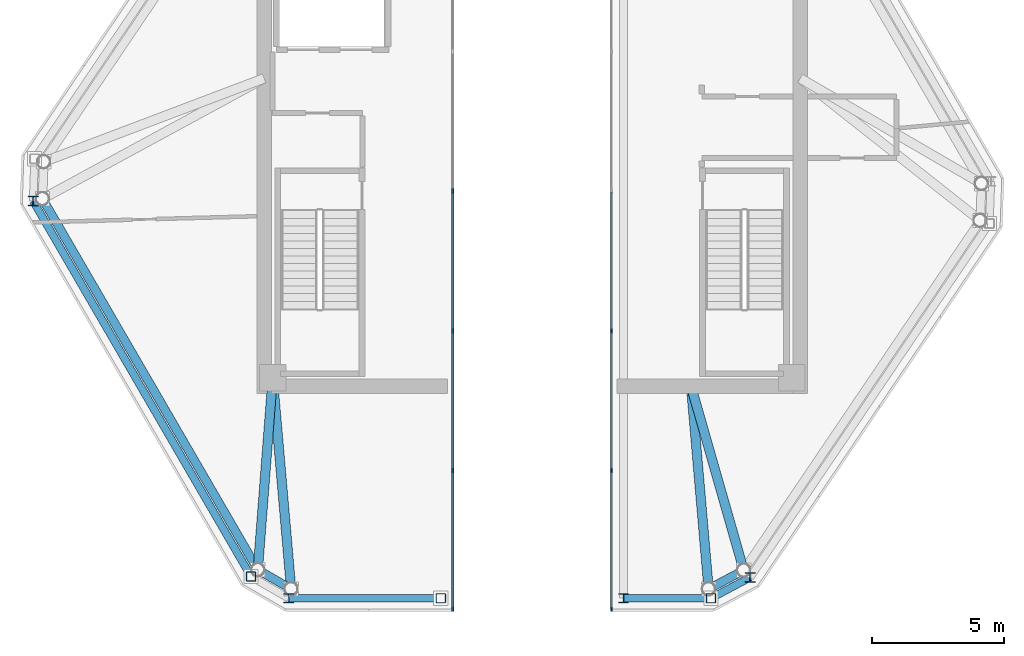
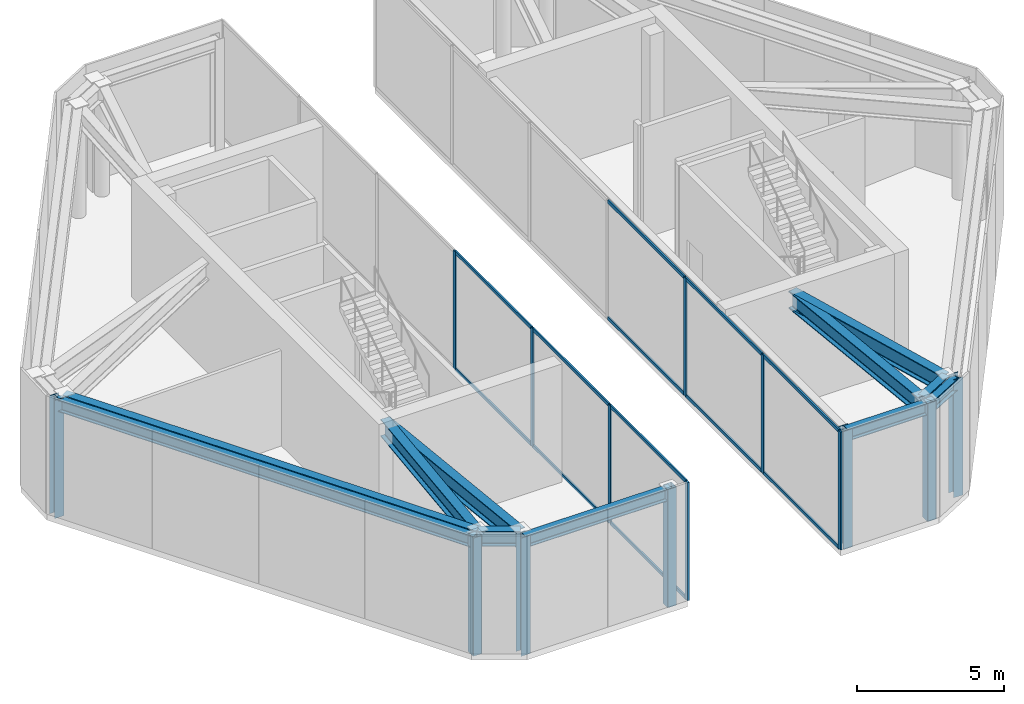
# One storey, part 2 of 8: 26 members, 11 beams, 2 elements without a shape of their own.
"""IFC4 building model written with IfcOpenShell, lengths in metres."""

from ifc_helpers import new_model, si_unit, direction, frame, origin, origin_2d, place, context, subcontext, project, spatial, rectangle, hollow_rectangle, i_section, extrude, source, transform, mapped, material, layer, layer_set, material_profile, profile_set, type_object, type_shapes, element, aggregate, save


model = new_model("IFC4")

# Units and contexts
model_context = context("Model", 3, precision=1e-05, world=origin(), true_north=direction((0.0, 1.0)))
body_context = subcontext(model_context, "Body", "Model", "MODEL_VIEW")
ifc_project = project(units=[si_unit("LENGTHUNIT", "METRE"), si_unit("AREAUNIT", "SQUARE_METRE"), si_unit("VOLUMEUNIT", "CUBIC_METRE"), si_unit("PLANEANGLEUNIT", "RADIAN"), si_unit("MASSUNIT", "GRAM", prefix="KILO")], contexts=[model_context])

# Site, building, storey
site_placement = place(None, origin())
site = spatial("IfcSite", under=ifc_project, at=site_placement, CompositionType="ELEMENT")
building_placement = place(site_placement, origin())
building = spatial("IfcBuilding", under=site, at=building_placement, Name="Durnholm Broadcast Tower", CompositionType="ELEMENT")
storey_placement = place(building_placement, frame((0.0, 0.0, 282.10009765625)))
storey = spatial("IfcBuildingStorey", under=building, at=storey_placement, Name="L78", CompositionType="ELEMENT", Elevation=282.10009765625)

# Beams
ifc_material_1 = material(Name="Steel ASTM A992 Grade 50", Category="steel")
ifc_material_profile_1 = material_profile(ifc_material_1, i_section(OverallWidth=0.3251953125, OverallDepth=0.6162109375, WebThickness=0.013916015625, FlangeThickness=0.021484375, FilletRadius=0.02783203125, at=origin_2d()), Name="W24X117")
ifc_profile_set_1 = profile_set([ifc_material_profile_1], Name="Steel ASTM A992 Grade 50")
beam_type_1 = type_object("IfcBeamType", Name="STL-SP-W24X117", PredefinedType="SPANDREL", material=ifc_profile_set_1)
shared_shape_1 = source(origin(), body_context, "Body", "SweptSolid", [
    extrude(i_section(OverallWidth=0.3251953125, OverallDepth=0.6162109375, WebThickness=0.013916015625, FlangeThickness=0.021484375, FilletRadius=0.02783203125, at=origin_2d()), origin(), (0.0, 0.0, 1.0), 16.202880859375),
])
beam_1_placement = place(storey_placement, frame((-10.361328125, -15.061767578125, 4.296875), z_axis=(-0.501948303381, 0.864897624423, 0.0), x_axis=(-0.864897624423, -0.501948303381, 0.0)))
element("IfcBeam", 1, at=beam_1_placement, inside=storey, type_object=beam_type_1, Name="L78 perimeter spandrel girder 01", PredefinedType="SPANDREL", context=body_context, shape_type="MappedRepresentation", body=[
    mapped(shared_shape_1, transform((0.0, 0.0, 0.0), x_axis=(1.0, 0.0, 0.0), y_axis=(0.0, 1.0, 0.0), z_axis=(0.0, 0.0, 1.0), scale=1.0)),
])
shared_shape_2 = source(origin(), body_context, "Body", "SweptSolid", [
    extrude(i_section(OverallWidth=0.3251953125, OverallDepth=0.6162109375, WebThickness=0.013916015625, FlangeThickness=0.021484375, FilletRadius=0.02783203125, at=origin_2d()), origin(), (0.0, 0.0, 1.0), 1.502685546875),
])
beam_2_placement = place(storey_placement, frame((7.990966796875, -15.081298828125, 4.296875), z_axis=(-0.883241909673, -0.468917614296, 0.0), x_axis=(0.468917614296, -0.883241909673, 0.0)))
element("IfcBeam", 2, at=beam_2_placement, inside=storey, type_object=beam_type_1, Name="L78 perimeter spandrel girder 10", PredefinedType="SPANDREL", context=body_context, shape_type="MappedRepresentation", body=[
    mapped(shared_shape_2, transform((0.0, 0.0, 0.0), x_axis=(1.0, 0.0, 0.0), y_axis=(0.0, 1.0, 0.0), z_axis=(0.0, 0.0, 1.0), scale=1.0)),
])
shared_shape_3 = source(origin(), body_context, "Body", "SweptSolid", [
    extrude(i_section(OverallWidth=0.3251953125, OverallDepth=0.6162109375, WebThickness=0.013916015625, FlangeThickness=0.021484375, FilletRadius=0.02783203125, at=origin_2d()), origin(), (0.0, 0.0, 1.0), 1.451171875),
])
type_shapes(beam_type_1, [shared_shape_1, shared_shape_2, shared_shape_3])
beam_3_placement = place(storey_placement, frame((-9.103759765625, -15.785888671875, 4.296875), z_axis=(-0.866602615509, 0.498998904601, 0.0), x_axis=(-0.498998904601, -0.866602615509, 0.0)))
element("IfcBeam", 3, at=beam_3_placement, inside=storey, type_object=beam_type_1, Name="L78 perimeter spandrel girder 12", PredefinedType="SPANDREL", context=body_context, shape_type="MappedRepresentation", body=[
    mapped(shared_shape_3, transform((0.0, 0.0, 0.0), x_axis=(1.0, 0.0, 0.0), y_axis=(0.0, 1.0, 0.0), z_axis=(0.0, 0.0, 1.0), scale=1.0)),
])
ifc_material_profile_2 = material_profile(ifc_material_1, i_section(OverallWidth=0.3564453125, OverallDepth=0.713623046875, WebThickness=0.01904296875, FlangeThickness=0.033935546875, FilletRadius=0.030517578125, at=origin_2d()), Name="W27X194")
ifc_profile_set_2 = profile_set([ifc_material_profile_2], Name="Steel ASTM A992 Grade 50")
beam_type_2 = type_object("IfcBeamType", Name="STL-GR-W27X194", PredefinedType="USERDEFINED", material=ifc_profile_set_2)
shared_shape_4 = source(origin(), body_context, "Body", "SweptSolid", [
    extrude(i_section(OverallWidth=0.3564453125, OverallDepth=0.713623046875, WebThickness=0.01904296875, FlangeThickness=0.033935546875, FilletRadius=0.030517578125, at=origin_2d()), origin(), (0.0, 0.0, 1.0), 7.283447265625),
])
beam_4_placement = place(storey_placement, frame((-9.800048828125, -7.800048828125, 4.248046875), z_axis=(-0.07706304746, -0.997026221679, 0.0), x_axis=(0.997026221679, -0.07706304746, 0.0)))
element("IfcBeam", 4, at=beam_4_placement, inside=storey, type_object=beam_type_2, Name="L78 radial primary floor girder 01", ObjectType="GIRDER", PredefinedType="USERDEFINED", context=body_context, shape_type="MappedRepresentation", body=[
    mapped(shared_shape_4, transform((0.0, 0.0, 0.0), x_axis=(1.0, 0.0, 0.0), y_axis=(0.0, 1.0, 0.0), z_axis=(0.0, 0.0, 1.0), scale=1.0)),
])
shared_shape_5 = source(origin(), body_context, "Body", "SweptSolid", [
    extrude(i_section(OverallWidth=0.3564453125, OverallDepth=0.713623046875, WebThickness=0.01904296875, FlangeThickness=0.033935546875, FilletRadius=0.030517578125, at=origin_2d()), origin(), (0.0, 0.0, 1.0), 7.235595703125),
])
beam_5_placement = place(storey_placement, frame((6.0, -8.125, 4.248046875), z_axis=(0.275162285573, -0.961397793111, 0.0), x_axis=(0.961397793111, 0.275162285573, 0.0)))
element("IfcBeam", 5, at=beam_5_placement, inside=storey, type_object=beam_type_2, Name="L78 radial primary floor girder 10", ObjectType="GIRDER", PredefinedType="USERDEFINED", context=body_context, shape_type="MappedRepresentation", body=[
    mapped(shared_shape_5, transform((0.0, 0.0, 0.0), x_axis=(1.0, 0.0, 0.0), y_axis=(0.0, 1.0, 0.0), z_axis=(0.0, 0.0, 1.0), scale=1.0)),
])
shared_shape_6 = source(origin(), body_context, "Body", "SweptSolid", [
    extrude(i_section(OverallWidth=0.3564453125, OverallDepth=0.713623046875, WebThickness=0.01904296875, FlangeThickness=0.033935546875, FilletRadius=0.030517578125, at=origin_2d()), origin(), (0.0, 0.0, 1.0), 7.689697265625),
])
beam_6_placement = place(storey_placement, frame((6.0, -8.125, 4.248046875), z_axis=(0.086326830756, -0.99626687102, 0.0), x_axis=(0.99626687102, 0.086326830756, 0.0)))
element("IfcBeam", 6, at=beam_6_placement, inside=storey, type_object=beam_type_2, Name="L78 radial primary floor girder 11", ObjectType="GIRDER", PredefinedType="USERDEFINED", context=body_context, shape_type="MappedRepresentation", body=[
    mapped(shared_shape_6, transform((0.0, 0.0, 0.0), x_axis=(1.0, 0.0, 0.0), y_axis=(0.0, 1.0, 0.0), z_axis=(0.0, 0.0, 1.0), scale=1.0)),
])
shared_shape_7 = source(origin(), body_context, "Body", "SweptSolid", [
    extrude(i_section(OverallWidth=0.3564453125, OverallDepth=0.713623046875, WebThickness=0.01904296875, FlangeThickness=0.033935546875, FilletRadius=0.030517578125, at=origin_2d()), origin(), (0.0, 0.0, 1.0), 8.01611328125),
])
type_shapes(beam_type_2, [shared_shape_4, shared_shape_5, shared_shape_6, shared_shape_7])
beam_7_placement = place(storey_placement, frame((-9.800048828125, -7.800048828125, 4.248046875), z_axis=(0.086860920724, -0.996220447718, 0.0), x_axis=(0.996220447718, 0.086860920724, 0.0)))
element("IfcBeam", 7, at=beam_7_placement, inside=storey, type_object=beam_type_2, Name="L78 radial primary floor girder 12", ObjectType="GIRDER", PredefinedType="USERDEFINED", context=body_context, shape_type="MappedRepresentation", body=[
    mapped(shared_shape_7, transform((0.0, 0.0, 0.0), x_axis=(1.0, 0.0, 0.0), y_axis=(0.0, 1.0, 0.0), z_axis=(0.0, 0.0, 1.0), scale=1.0)),
])
ifc_material_profile_3 = material_profile(ifc_material_1, i_section(OverallWidth=0.2861328125, OverallDepth=0.481689453125, WebThickness=0.0166015625, FlangeThickness=0.02685546875, FilletRadius=0.02294921875, at=origin_2d()), Name="W18X119")
ifc_profile_set_3 = profile_set([ifc_material_profile_3], Name="Steel ASTM A992 Grade 50")
beam_type_3 = type_object("IfcBeamType", Name="STL-BM-W18X119", PredefinedType="BEAM", material=ifc_profile_set_3)
shared_shape_8 = source(origin(), body_context, "Body", "SweptSolid", [
    extrude(i_section(OverallWidth=0.2861328125, OverallDepth=0.481689453125, WebThickness=0.0166015625, FlangeThickness=0.02685546875, FilletRadius=0.02294921875, at=origin_2d()), origin(), (0.0, 0.0, 1.0), 5.747314453125),
])
beam_8_placement = place(storey_placement, frame((-9.197265625, -16.135986328125, 4.364013671875), z_axis=(1.0, 0.0, 0.0), x_axis=(0.0, 1.0, 0.0)))
element("IfcBeam", 8, at=beam_8_placement, inside=storey, type_object=beam_type_3, Name="L78 W split-crown frame ring beam 2", PredefinedType="SPANDREL", context=body_context, shape_type="MappedRepresentation", body=[
    mapped(shared_shape_8, transform((0.0, 0.0, 0.0), x_axis=(1.0, 0.0, 0.0), y_axis=(0.0, 1.0, 0.0), z_axis=(0.0, 0.0, 1.0), scale=1.0)),
])
shared_shape_9 = source(origin(), body_context, "Body", "SweptSolid", [
    extrude(i_section(OverallWidth=0.2861328125, OverallDepth=0.481689453125, WebThickness=0.0166015625, FlangeThickness=0.02685546875, FilletRadius=0.02294921875, at=origin_2d()), origin(), (0.0, 0.0, 1.0), 16.39697265625),
])
beam_9_placement = place(storey_placement, frame((-18.847412109375, -1.136474609375, 4.364013671875), z_axis=(0.501933993848, -0.864905928885, 0.0), x_axis=(0.864905928885, 0.501933993848, 0.0)))
element("IfcBeam", 9, at=beam_9_placement, inside=storey, type_object=beam_type_3, Name="L78 W split-crown frame ring beam 8", PredefinedType="SPANDREL", context=body_context, shape_type="MappedRepresentation", body=[
    mapped(shared_shape_9, transform((0.0, 0.0, 0.0), x_axis=(1.0, 0.0, 0.0), y_axis=(0.0, 1.0, 0.0), z_axis=(0.0, 0.0, 1.0), scale=1.0)),
])
shared_shape_10 = source(origin(), body_context, "Body", "SweptSolid", [
    extrude(i_section(OverallWidth=0.2861328125, OverallDepth=0.481689453125, WebThickness=0.0166015625, FlangeThickness=0.02685546875, FilletRadius=0.02294921875, at=origin_2d()), origin(), (0.0, 0.0, 1.0), 3.301025390625),
])
beam_10_placement = place(storey_placement, frame((3.449951171875, -16.135986328125, 4.364013671875), z_axis=(1.0, 0.0, 0.0), x_axis=(0.0, 1.0, 0.0)))
element("IfcBeam", 10, at=beam_10_placement, inside=storey, type_object=beam_type_3, Name="L78 E split-crown frame ring beam 2", PredefinedType="SPANDREL", context=body_context, shape_type="MappedRepresentation", body=[
    mapped(shared_shape_10, transform((0.0, 0.0, 0.0), x_axis=(1.0, 0.0, 0.0), y_axis=(0.0, 1.0, 0.0), z_axis=(0.0, 0.0, 1.0), scale=1.0)),
])
shared_shape_11 = source(origin(), body_context, "Body", "SweptSolid", [
    extrude(i_section(OverallWidth=0.2861328125, OverallDepth=0.481689453125, WebThickness=0.0166015625, FlangeThickness=0.02685546875, FilletRadius=0.02294921875, at=origin_2d()), origin(), (0.0, 0.0, 1.0), 1.6767578125),
])
type_shapes(beam_type_3, [shared_shape_8, shared_shape_9, shared_shape_10, shared_shape_11])
beam_11_placement = place(storey_placement, frame((6.7509765625, -16.135986328125, 4.364013671875), z_axis=(0.883209959098, 0.468977790678, 0.0), x_axis=(-0.468977790678, 0.883209959098, 0.0)))
element("IfcBeam", 11, at=beam_11_placement, inside=storey, type_object=beam_type_3, Name="L78 E split-crown frame ring beam 3", PredefinedType="SPANDREL", context=body_context, shape_type="MappedRepresentation", body=[
    mapped(shared_shape_11, transform((0.0, 0.0, 0.0), x_axis=(1.0, 0.0, 0.0), y_axis=(0.0, 1.0, 0.0), z_axis=(0.0, 0.0, 1.0), scale=1.0)),
])

# Members
ifc_material_2 = material(Name="Steel ASTM A500 Grade C", Category="steel")
ifc_material_profile_4 = material_profile(ifc_material_2, hollow_rectangle(XDim=0.355712890625, YDim=0.355712890625, WallThickness=0.01171875, InnerFilletRadius=0.017578125, OuterFilletRadius=0.029541015625, at=origin_2d()), Name="HSS14X14X1/2")
ifc_profile_set_4 = profile_set([ifc_material_profile_4], Name="Steel ASTM A500 Grade C")
member_type_1 = type_object("IfcMemberType", Name="STL-CF-HSS14X14", PredefinedType="USERDEFINED", material=ifc_profile_set_4)
shared_shape_12 = source(origin(), body_context, "Body", "SweptSolid", [
    extrude(hollow_rectangle(XDim=0.355712890625, YDim=0.355712890625, WallThickness=0.01171875, InnerFilletRadius=0.017578125, OuterFilletRadius=0.029541015625, at=origin_2d()), origin(), (0.0, 0.0, 1.0), 4.89990234375),
])
type_shapes(member_type_1, [shared_shape_12])
for number, where, z_axis, x_axis, name in (
    (12, (-10.6171875, -15.318359375, -0.280029296875), (0.0, 0.0, 1.0), (1.0, 0.0, 0.0), "L78 W split-crown frame post 1"),
    (13, (-3.449951171875, -16.135986328125, -0.280029296875), (0.0, 0.0, 1.0), (1.0, 0.0, 0.0), "L78 W split-crown frame post 3"),
    (14, (6.7509765625, -16.135986328125, -0.280029296875), (0.0, 0.0, 1.0), (1.0, 0.0, 0.0), "L78 E split-crown frame post 3"),
):
    element("IfcMember", number, at=place(storey_placement, frame(where, z_axis=z_axis, x_axis=x_axis)), inside=storey, type_object=member_type_1, Name=name, ObjectType="CROWN FRAME", PredefinedType="USERDEFINED", context=body_context, shape_type="MappedRepresentation", body=[
        mapped(shared_shape_12, transform((0.0, 0.0, 0.0), x_axis=(1.0, 0.0, 0.0), y_axis=(0.0, 1.0, 0.0), z_axis=(0.0, 0.0, 1.0), scale=1.0)),
    ])
ifc_material_profile_5 = material_profile(ifc_material_1, i_section(OverallWidth=0.368896484375, OverallDepth=0.356201171875, WebThickness=0.01123046875, FlangeThickness=0.01806640625, FilletRadius=0.030517578125, at=origin_2d()), Name="W14X90")
ifc_profile_set_5 = profile_set([ifc_material_profile_5], Name="Steel ASTM A992 Grade 50")
member_type_2 = type_object("IfcMemberType", Name="STL-CF-W14X90", PredefinedType="USERDEFINED", material=ifc_profile_set_5)
shared_shape_13 = source(origin(), body_context, "Body", "SweptSolid", [
    extrude(i_section(OverallWidth=0.368896484375, OverallDepth=0.356201171875, WebThickness=0.01123046875, FlangeThickness=0.01806640625, FilletRadius=0.030517578125, at=origin_2d()), origin(), (0.0, 0.0, 1.0), 4.89990234375),
])
type_shapes(member_type_2, [shared_shape_13])
for number, where, z_axis, x_axis, name in (
    (15, (-9.197265625, -16.135986328125, -0.280029296875), (0.0, 0.0, 1.0), (1.0, 0.0, 0.0), "L78 W split-crown frame post 2"),
    (16, (-18.847412109375, -1.136474609375, -0.280029296875), (0.0, 0.0, 1.0), (1.0, 0.0, 0.0), "L78 W split-crown frame post 8"),
    (17, (3.449951171875, -16.135986328125, -0.280029296875), (0.0, 0.0, 1.0), (1.0, 0.0, 0.0), "L78 E split-crown frame post 2"),
    (18, (8.23193359375, -15.349609375, -0.280029296875), (0.0, 0.0, 1.0), (1.0, 0.0, 0.0), "L78 E split-crown frame post 4"),
):
    element("IfcMember", number, at=place(storey_placement, frame(where, z_axis=z_axis, x_axis=x_axis)), inside=storey, type_object=member_type_2, Name=name, ObjectType="CROWN FRAME", PredefinedType="USERDEFINED", context=body_context, shape_type="MappedRepresentation", body=[
        mapped(shared_shape_13, transform((0.0, 0.0, 0.0), x_axis=(1.0, 0.0, 0.0), y_axis=(0.0, 1.0, 0.0), z_axis=(0.0, 0.0, 1.0), scale=1.0)),
    ])

# Curtain wall, members
ifc_material_3 = material(Name="Aluminium and Solar Control IGU", Category="aluminium")
ifc_layer = layer(ifc_material_3, 0.1650390625)
ifc_layer_set = layer_set([ifc_layer], Name="Aluminium and Solar Control IGU")
curtain_wall_type = type_object("IfcCurtainWallType", Name="CW-SYS-7", PredefinedType="NOTDEFINED", material=ifc_layer_set)
curtain_wall_1_placement = place(storey_placement, origin())
curtain_wall_1 = element("IfcCurtainWall", 19, at=curtain_wall_1_placement, inside=storey, type_object=curtain_wall_type, Name="L78 curtain wall CW-CROWN CW-L78-W-5", PredefinedType="NOTDEFINED")
ifc_material_4 = material(Name="Aluminium 6063-T6", Category="aluminium")
ifc_material_profile_6 = material_profile(ifc_material_4, rectangle(XDim=0.06494140625, YDim=0.1298828125, at=origin_2d()), Name="CWT65X130")
ifc_profile_set_6 = profile_set([ifc_material_profile_6], Name="Aluminium 6063-T6")
member_type_3 = type_object("IfcMemberType", Name="CW-SYS-7-TRN", PredefinedType="USERDEFINED", material=ifc_profile_set_6)
shared_shape_14 = source(origin(), body_context, "Body", "SweptSolid", [
    extrude(rectangle(XDim=0.06494140625, YDim=0.1298828125, at=origin_2d()), origin(), (0.0, 0.0, 1.0), 5.17724609375),
])
member_1_placement = place(storey_placement, frame((-3.0, -11.34375, 0.032470703125), z_axis=(0.0, -1.0, 0.0), x_axis=(1.0, 0.0, 0.0)))
member_1 = element("IfcMember", 20, at=member_1_placement, type_object=member_type_3, Name="CW-CROWN transom 6.1", ObjectType="TRANSOM", PredefinedType="USERDEFINED", context=body_context, shape_type="MappedRepresentation", body=[
    mapped(shared_shape_14, transform((0.0, 0.0, 0.0), x_axis=(1.0, 0.0, 0.0), y_axis=(0.0, 1.0, 0.0), z_axis=(0.0, 0.0, 1.0), scale=1.0)),
])
member_2_placement = place(storey_placement, frame((-3.0, -11.34375, 4.867431640625), z_axis=(0.0, -1.0, 0.0), x_axis=(1.0, 0.0, 0.0)))
member_2 = element("IfcMember", 21, at=member_2_placement, type_object=member_type_3, Name="CW-CROWN transom 6.2", ObjectType="TRANSOM", PredefinedType="USERDEFINED", context=body_context, shape_type="MappedRepresentation", body=[
    mapped(shared_shape_14, transform((0.0, 0.0, 0.0), x_axis=(1.0, 0.0, 0.0), y_axis=(0.0, 1.0, 0.0), z_axis=(0.0, 0.0, 1.0), scale=1.0)),
])

curtain_wall_2_placement = place(storey_placement, origin())
curtain_wall_2 = element("IfcCurtainWall", 22, at=curtain_wall_2_placement, inside=storey, type_object=curtain_wall_type, Name="L78 curtain wall CW-CROWN CW-L78-E-7", PredefinedType="NOTDEFINED")
member_3_placement = place(storey_placement, frame((3.0, -16.52099609375, 0.032470703125), z_axis=(0.0, 1.0, 0.0), x_axis=(-1.0, 0.0, 0.0)))
member_3 = element("IfcMember", 23, at=member_3_placement, type_object=member_type_3, Name="CW-CROWN transom 1.1", ObjectType="TRANSOM", PredefinedType="USERDEFINED", context=body_context, shape_type="MappedRepresentation", body=[
    mapped(shared_shape_14, transform((0.0, 0.0, 0.0), x_axis=(1.0, 0.0, 0.0), y_axis=(0.0, 1.0, 0.0), z_axis=(0.0, 0.0, 1.0), scale=1.0)),
])
member_4_placement = place(storey_placement, frame((3.0, -16.52099609375, 4.867431640625), z_axis=(0.0, 1.0, 0.0), x_axis=(-1.0, 0.0, 0.0)))
member_4 = element("IfcMember", 24, at=member_4_placement, type_object=member_type_3, Name="CW-CROWN transom 1.2", ObjectType="TRANSOM", PredefinedType="USERDEFINED", context=body_context, shape_type="MappedRepresentation", body=[
    mapped(shared_shape_14, transform((0.0, 0.0, 0.0), x_axis=(1.0, 0.0, 0.0), y_axis=(0.0, 1.0, 0.0), z_axis=(0.0, 0.0, 1.0), scale=1.0)),
])

# Member
shared_shape_15 = source(origin(), body_context, "Body", "SweptSolid", [
    extrude(rectangle(XDim=0.06494140625, YDim=0.1298828125, at=origin_2d()), origin(), (0.0, 0.0, 1.0), 5.209716796875),
])
type_shapes(member_type_3, [shared_shape_14, shared_shape_15])
member_5_placement = place(storey_placement, frame((-3.0, -0.79443359375, 0.032470703125), z_axis=(0.0, -1.0, 0.0), x_axis=(1.0, 0.0, 0.0)))
member_5 = element("IfcMember", 25, at=member_5_placement, type_object=member_type_3, Name="CW-CROWN transom 4.1", ObjectType="TRANSOM", PredefinedType="USERDEFINED", context=body_context, shape_type="MappedRepresentation", body=[
    mapped(shared_shape_15, transform((0.0, 0.0, 0.0), x_axis=(1.0, 0.0, 0.0), y_axis=(0.0, 1.0, 0.0), z_axis=(0.0, 0.0, 1.0), scale=1.0)),
])

member_6_placement = place(storey_placement, frame((-3.0, -0.79443359375, 4.867431640625), z_axis=(0.0, -1.0, 0.0), x_axis=(1.0, 0.0, 0.0)))
member_6 = element("IfcMember", 26, at=member_6_placement, type_object=member_type_3, Name="CW-CROWN transom 4.2", ObjectType="TRANSOM", PredefinedType="USERDEFINED", context=body_context, shape_type="MappedRepresentation", body=[
    mapped(shared_shape_15, transform((0.0, 0.0, 0.0), x_axis=(1.0, 0.0, 0.0), y_axis=(0.0, 1.0, 0.0), z_axis=(0.0, 0.0, 1.0), scale=1.0)),
])

member_7_placement = place(storey_placement, frame((-3.0, -6.069091796875, 0.032470703125), z_axis=(0.0, -1.0, 0.0), x_axis=(1.0, 0.0, 0.0)))
member_7 = element("IfcMember", 27, at=member_7_placement, type_object=member_type_3, Name="CW-CROWN transom 5.1", ObjectType="TRANSOM", PredefinedType="USERDEFINED", context=body_context, shape_type="MappedRepresentation", body=[
    mapped(shared_shape_15, transform((0.0, 0.0, 0.0), x_axis=(1.0, 0.0, 0.0), y_axis=(0.0, 1.0, 0.0), z_axis=(0.0, 0.0, 1.0), scale=1.0)),
])

member_8_placement = place(storey_placement, frame((-3.0, -6.069091796875, 4.867431640625), z_axis=(0.0, -1.0, 0.0), x_axis=(1.0, 0.0, 0.0)))
member_8 = element("IfcMember", 28, at=member_8_placement, type_object=member_type_3, Name="CW-CROWN transom 5.2", ObjectType="TRANSOM", PredefinedType="USERDEFINED", context=body_context, shape_type="MappedRepresentation", body=[
    mapped(shared_shape_15, transform((0.0, 0.0, 0.0), x_axis=(1.0, 0.0, 0.0), y_axis=(0.0, 1.0, 0.0), z_axis=(0.0, 0.0, 1.0), scale=1.0)),
])

member_9_placement = place(storey_placement, frame((3.0, -11.27880859375, 0.032470703125), z_axis=(0.0, 1.0, 0.0), x_axis=(-1.0, 0.0, 0.0)))
member_9 = element("IfcMember", 29, at=member_9_placement, type_object=member_type_3, Name="CW-CROWN transom 2.1", ObjectType="TRANSOM", PredefinedType="USERDEFINED", context=body_context, shape_type="MappedRepresentation", body=[
    mapped(shared_shape_15, transform((0.0, 0.0, 0.0), x_axis=(1.0, 0.0, 0.0), y_axis=(0.0, 1.0, 0.0), z_axis=(0.0, 0.0, 1.0), scale=1.0)),
])

member_10_placement = place(storey_placement, frame((3.0, -11.27880859375, 4.867431640625), z_axis=(0.0, 1.0, 0.0), x_axis=(-1.0, 0.0, 0.0)))
member_10 = element("IfcMember", 30, at=member_10_placement, type_object=member_type_3, Name="CW-CROWN transom 2.2", ObjectType="TRANSOM", PredefinedType="USERDEFINED", context=body_context, shape_type="MappedRepresentation", body=[
    mapped(shared_shape_15, transform((0.0, 0.0, 0.0), x_axis=(1.0, 0.0, 0.0), y_axis=(0.0, 1.0, 0.0), z_axis=(0.0, 0.0, 1.0), scale=1.0)),
])

member_11_placement = place(storey_placement, frame((3.0, -6.004150390625, 0.032470703125), z_axis=(0.0, 1.0, 0.0), x_axis=(-1.0, 0.0, 0.0)))
member_11 = element("IfcMember", 31, at=member_11_placement, type_object=member_type_3, Name="CW-CROWN transom 3.1", ObjectType="TRANSOM", PredefinedType="USERDEFINED", context=body_context, shape_type="MappedRepresentation", body=[
    mapped(shared_shape_15, transform((0.0, 0.0, 0.0), x_axis=(1.0, 0.0, 0.0), y_axis=(0.0, 1.0, 0.0), z_axis=(0.0, 0.0, 1.0), scale=1.0)),
])

member_12_placement = place(storey_placement, frame((3.0, -6.004150390625, 4.867431640625), z_axis=(0.0, 1.0, 0.0), x_axis=(-1.0, 0.0, 0.0)))
member_12 = element("IfcMember", 32, at=member_12_placement, type_object=member_type_3, Name="CW-CROWN transom 3.2", ObjectType="TRANSOM", PredefinedType="USERDEFINED", context=body_context, shape_type="MappedRepresentation", body=[
    mapped(shared_shape_15, transform((0.0, 0.0, 0.0), x_axis=(1.0, 0.0, 0.0), y_axis=(0.0, 1.0, 0.0), z_axis=(0.0, 0.0, 1.0), scale=1.0)),
])

ifc_material_profile_7 = material_profile(ifc_material_4, rectangle(XDim=0.06494140625, YDim=0.1650390625, at=origin_2d()), Name="CWM65X165")
ifc_profile_set_7 = profile_set([ifc_material_profile_7], Name="Aluminium 6063-T6")
member_type_4 = type_object("IfcMemberType", Name="CW-SYS-7-MUL", PredefinedType="MULLION", material=ifc_profile_set_7)
shared_shape_16 = source(origin(), body_context, "Body", "SweptSolid", [
    extrude(rectangle(XDim=0.06494140625, YDim=0.1650390625, at=origin_2d()), origin(), (0.0, 0.0, 1.0), 4.89990234375),
])
type_shapes(member_type_4, [shared_shape_16])
member_13_placement = place(storey_placement, frame((-3.0, -0.761962890625, 0.0), z_axis=(0.0, 0.0, 1.0), x_axis=(1.0, 0.0, 0.0)))
member_13 = element("IfcMember", 33, at=member_13_placement, type_object=member_type_4, Name="CW-CROWN mullion 4", PredefinedType="MULLION", context=body_context, shape_type="MappedRepresentation", body=[
    mapped(shared_shape_16, transform((0.0, 0.0, 0.0), x_axis=(1.0, 0.0, 0.0), y_axis=(0.0, 1.0, 0.0), z_axis=(0.0, 0.0, 1.0), scale=1.0)),
])

member_14_placement = place(storey_placement, frame((-3.0, -6.03662109375, 0.0), z_axis=(0.0, 0.0, 1.0), x_axis=(1.0, 0.0, 0.0)))
member_14 = element("IfcMember", 34, at=member_14_placement, type_object=member_type_4, Name="CW-CROWN mullion 5", PredefinedType="MULLION", context=body_context, shape_type="MappedRepresentation", body=[
    mapped(shared_shape_16, transform((0.0, 0.0, 0.0), x_axis=(1.0, 0.0, 0.0), y_axis=(0.0, 1.0, 0.0), z_axis=(0.0, 0.0, 1.0), scale=1.0)),
])

member_15_placement = place(storey_placement, frame((-3.0, -11.311279296875, 0.0), z_axis=(0.0, 0.0, 1.0), x_axis=(1.0, 0.0, 0.0)))
member_15 = element("IfcMember", 35, at=member_15_placement, type_object=member_type_4, Name="CW-CROWN mullion 6", PredefinedType="MULLION", context=body_context, shape_type="MappedRepresentation", body=[
    mapped(shared_shape_16, transform((0.0, 0.0, 0.0), x_axis=(1.0, 0.0, 0.0), y_axis=(0.0, 1.0, 0.0), z_axis=(0.0, 0.0, 1.0), scale=1.0)),
])

member_16_placement = place(storey_placement, frame((-3.0, -16.553466796875, 0.0), z_axis=(0.0, 0.0, 1.0), x_axis=(1.0, 0.0, 0.0)))
member_16 = element("IfcMember", 36, at=member_16_placement, type_object=member_type_4, Name="CW-CROWN mullion 7", PredefinedType="MULLION", context=body_context, shape_type="MappedRepresentation", body=[
    mapped(shared_shape_16, transform((0.0, 0.0, 0.0), x_axis=(1.0, 0.0, 0.0), y_axis=(0.0, 1.0, 0.0), z_axis=(0.0, 0.0, 1.0), scale=1.0)),
])

aggregate(curtain_wall_1, [member_13, member_14, member_15, member_16, member_5, member_6, member_7, member_8, member_1, member_2])

member_17_placement = place(storey_placement, frame((3.0, -16.553466796875, 0.0), z_axis=(0.0, 0.0, 1.0), x_axis=(-1.0, 0.0, 0.0)))
member_17 = element("IfcMember", 37, at=member_17_placement, type_object=member_type_4, Name="CW-CROWN mullion 1", PredefinedType="MULLION", context=body_context, shape_type="MappedRepresentation", body=[
    mapped(shared_shape_16, transform((0.0, 0.0, 0.0), x_axis=(1.0, 0.0, 0.0), y_axis=(0.0, 1.0, 0.0), z_axis=(0.0, 0.0, 1.0), scale=1.0)),
])

member_18_placement = place(storey_placement, frame((3.0, -11.311279296875, 0.0), z_axis=(0.0, 0.0, 1.0), x_axis=(-1.0, 0.0, 0.0)))
member_18 = element("IfcMember", 38, at=member_18_placement, type_object=member_type_4, Name="CW-CROWN mullion 2", PredefinedType="MULLION", context=body_context, shape_type="MappedRepresentation", body=[
    mapped(shared_shape_16, transform((0.0, 0.0, 0.0), x_axis=(1.0, 0.0, 0.0), y_axis=(0.0, 1.0, 0.0), z_axis=(0.0, 0.0, 1.0), scale=1.0)),
])

member_19_placement = place(storey_placement, frame((3.0, -6.03662109375, 0.0), z_axis=(0.0, 0.0, 1.0), x_axis=(-1.0, 0.0, 0.0)))
member_19 = element("IfcMember", 39, at=member_19_placement, type_object=member_type_4, Name="CW-CROWN mullion 3", PredefinedType="MULLION", context=body_context, shape_type="MappedRepresentation", body=[
    mapped(shared_shape_16, transform((0.0, 0.0, 0.0), x_axis=(1.0, 0.0, 0.0), y_axis=(0.0, 1.0, 0.0), z_axis=(0.0, 0.0, 1.0), scale=1.0)),
])

aggregate(curtain_wall_2, [member_17, member_18, member_19, member_3, member_4, member_9, member_10, member_11, member_12])

save(model, "model.ifc")
